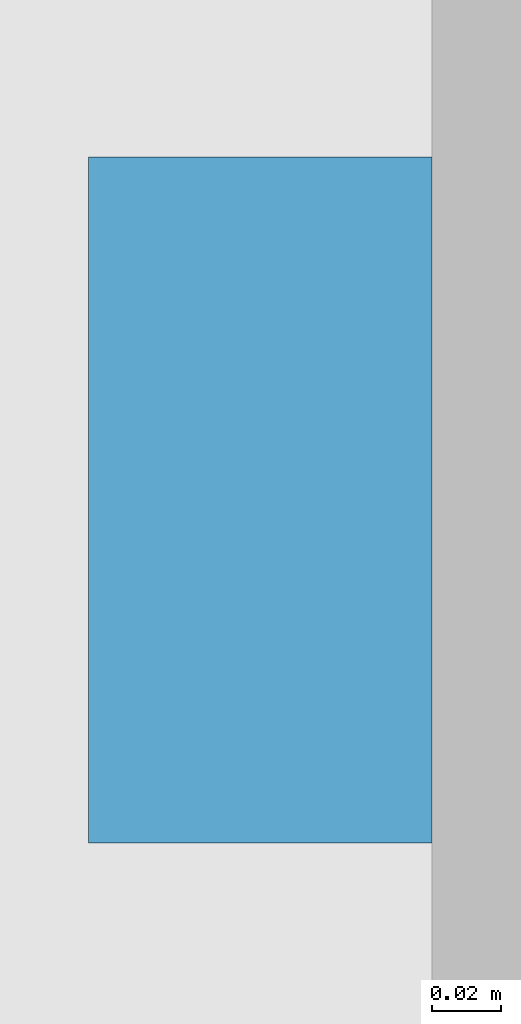
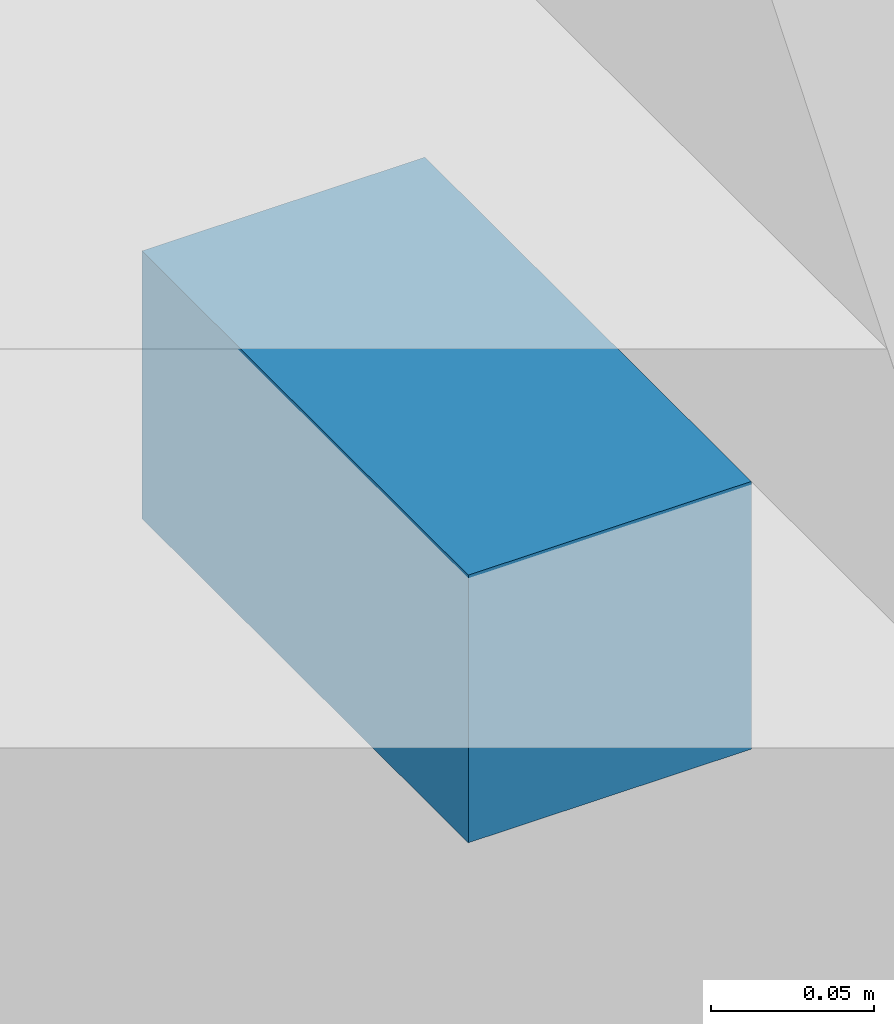
# One storey, part 15 of 17: 1 discrete accessory.
"""IFC4 building model written with IfcOpenShell, lengths in metres."""

from ifc_helpers import new_model, si_unit, direction, frame, origin, origin_2d, place, context, subcontext, project, spatial, rectangle, extrude, element, save


model = new_model("IFC4")

# Units and contexts
model_context = context("Model", 3, precision=1e-05, world=origin(), true_north=direction((0.0, 1.0)))
body_context = subcontext(model_context, "Body", "Model", "MODEL_VIEW")
ifc_project = project(units=[si_unit("LENGTHUNIT", "METRE"), si_unit("AREAUNIT", "SQUARE_METRE"), si_unit("VOLUMEUNIT", "CUBIC_METRE"), si_unit("PLANEANGLEUNIT", "RADIAN"), si_unit("MASSUNIT", "GRAM", prefix="KILO")], contexts=[model_context])

# Site, building, storey
site_placement = place(None, origin())
site = spatial("IfcSite", under=ifc_project, at=site_placement, CompositionType="ELEMENT")
building_placement = place(site_placement, origin())
building = spatial("IfcBuilding", under=site, at=building_placement, Name="Calvaro Tower", CompositionType="ELEMENT")
storey_placement = place(building_placement, frame((0.0, 0.0, 215.5)))
storey = spatial("IfcBuildingStorey", under=building, at=storey_placement, Name="L54", CompositionType="ELEMENT", Elevation=215.5)

# Discrete accessory
discrete_accessory_placement = place(storey_placement, frame((65.5, 3.60009765625, 2.349853515625), z_axis=(0.0, 0.0, 1.0), x_axis=(1.0, 0.0, 0.0)))
element("IfcDiscreteAccessory", 1, at=discrete_accessory_placement, inside=storey, Name="Brise-soleil bracket", PredefinedType="BRACKET", context=body_context, shape_type="SweptSolid", body=[
    extrude(rectangle(XDim=0.10009765625, YDim=0.199951171875, at=origin_2d()), origin(), (0.0, 0.0, 1.0), 0.10009765625),
])

save(model, "model.ifc")
